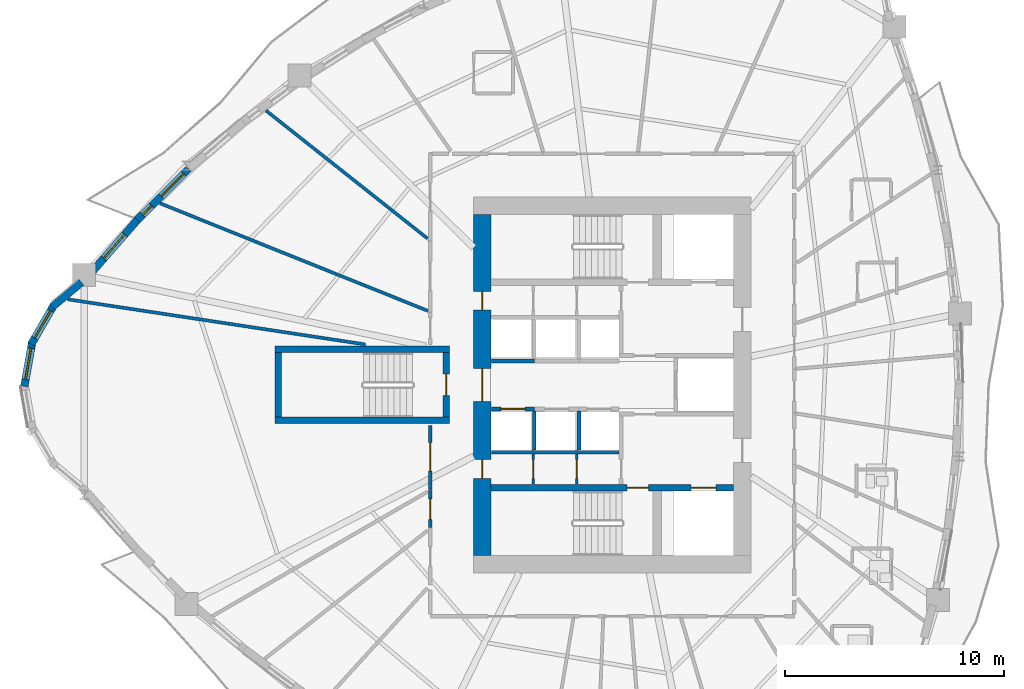
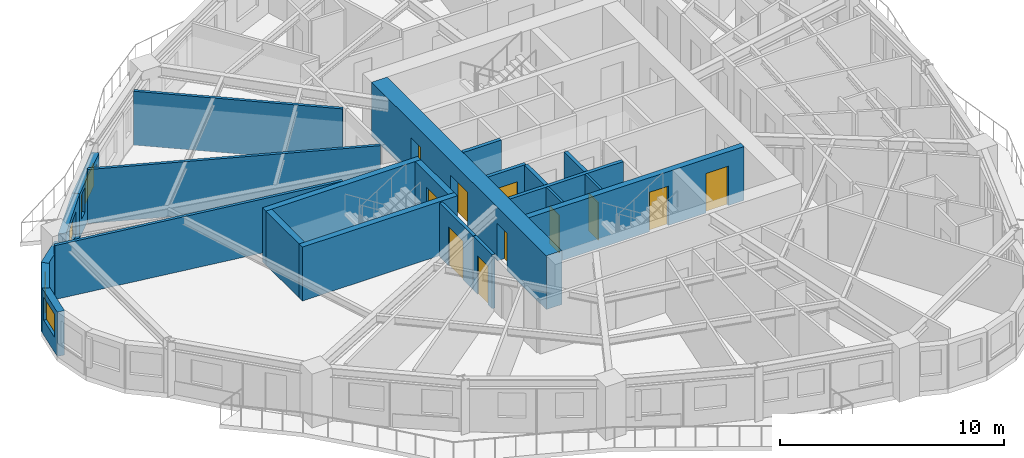
# One storey, part 4 of 13: 23 walls, 11 doors, 5 windows, 16 openings.
"""IFC4 building model written with IfcOpenShell, lengths in metres."""

import ifcopenshell
import ifcopenshell.guid

model = None  # the IFC model being written
_history = None  # IfcOwnerHistory: only IFC2X3 demands one
_inside = {}  # id of a spatial element -> (the spatial element, [elements in it])
_under = {}  # id of a project, library or spatial element -> (it, [spatial elements below it])
_declared = {}  # id of a project -> (the project, [libraries it declares])
_typed = {}  # id of a type object -> (the type object, [elements of that type])
_made_of = {}  # id of a material, layer set ... -> (it, [elements and type objects made of it])


def new_model(schema):
    """Start an empty IFC model of exactly this schema.

    Asked for "IFC4X3", IfcOpenShell would pick the latest addendum, in which some entities
    have other attributes; the version numbers below select the first issue.
    IFC2X3 requires an IfcOwnerHistory on every rooted entity: one is made here for all.
    """
    global model, _history
    if schema == "IFC4X3":
        model = ifcopenshell.file(schema_version=(4, 3, 0, 0))
    else:
        model = ifcopenshell.file(schema=schema)
    _inside.clear()
    _under.clear()
    _declared.clear()
    _typed.clear()
    _made_of.clear()
    _history = None
    if model.schema == "IFC2X3":
        org = make("IfcOrganization", Name="unknown")
        user = make(
            "IfcPersonAndOrganization",
            ThePerson=make("IfcPerson", FamilyName="unknown"),
            TheOrganization=org,
        )
        app = make(
            "IfcApplication",
            ApplicationDeveloper=org,
            Version="unknown",
            ApplicationFullName="unknown",
            ApplicationIdentifier="unknown",
        )
        _history = make(
            "IfcOwnerHistory",
            OwningUser=user,
            OwningApplication=app,
            ChangeAction="ADDED",
            CreationDate=0,
        )
    return model


def make(cls, **values):
    """One entity of the class cls with the attributes given. An attribute that is None is left unset."""
    return model.create_entity(
        cls, **{name: value for name, value in values.items() if value is not None}
    )


def rooted(cls, **values):
    """An entity with a GlobalId (a new one), such as an element, a storey or a relation."""
    return make(cls, GlobalId=ifcopenshell.guid.new(), OwnerHistory=_history, **values)


def si_unit(unit_type, name, prefix=None):
    """IfcSIUnit, for example si_unit("LENGTHUNIT", "METRE", prefix="MILLI")."""
    return make("IfcSIUnit", UnitType=unit_type, Prefix=prefix, Name=name)


def assignment(units):
    """IfcUnitAssignment: the units of a project."""
    return None if units is None else make("IfcUnitAssignment", Units=units)


def point(xyz):
    """IfcCartesianPoint."""
    return None if xyz is None else make("IfcCartesianPoint", Coordinates=xyz)


def direction(xyz):
    """IfcDirection."""
    return None if xyz is None else make("IfcDirection", DirectionRatios=xyz)


def frame(location, z_axis=None, x_axis=None):
    """IfcAxis2Placement3D, a coordinate frame: its origin and axes. An axis left out is left unset."""
    return make(
        "IfcAxis2Placement3D",
        Location=point(location),
        Axis=direction(z_axis),
        RefDirection=direction(x_axis),
    )


def frame_2d(location, x_axis=None):
    """IfcAxis2Placement2D, a coordinate frame in the plane: its origin and x axis."""
    return make(
        "IfcAxis2Placement2D", Location=point(location), RefDirection=direction(x_axis)
    )


def origin():
    """The frame at (0, 0, 0) with its axes left unset."""
    return frame((0.0, 0.0, 0.0))


def place(relative_to, where):
    """IfcLocalPlacement: puts the frame where relative to a parent placement (None: the world)."""
    return make(
        "IfcLocalPlacement", PlacementRelTo=relative_to, RelativePlacement=where
    )


def context(
    kind, dimensions, precision=None, world=None, true_north=None, identifier=None
):
    """IfcGeometricRepresentationContext, for example the 3D "Model" context."""
    return make(
        "IfcGeometricRepresentationContext",
        ContextIdentifier=identifier,
        ContextType=kind,
        CoordinateSpaceDimension=dimensions,
        Precision=precision,
        WorldCoordinateSystem=world,
        TrueNorth=true_north,
    )


def subcontext(parent, identifier, kind, view, scale=None):
    """IfcGeometricRepresentationSubContext, for example "Body" below "Model"."""
    return make(
        "IfcGeometricRepresentationSubContext",
        ContextIdentifier=identifier,
        ContextType=kind,
        ParentContext=parent,
        TargetScale=scale,
        TargetView=view,
    )


def project(units=None, contexts=None):
    """IfcProject with its units and contexts."""
    return rooted(
        "IfcProject",
        Name="project",
        RepresentationContexts=contexts,
        UnitsInContext=assignment(units),
    )


def spatial(cls, under=None, at=None, **own):
    """A site, building, storey or space (cls), placed at a placement, below another one or the project."""
    s = rooted(cls, ObjectPlacement=at, **own)
    if under is not None:
        _under.setdefault(under.id(), (under, []))[1].append(s)
    return s


def profile(cls, at=None, kind="AREA", **sizes):
    """A parametric profile (cls). Its sizes go by their IFC names, for example OverallWidth=200.0."""
    return make(cls, ProfileType=kind, Position=at, **sizes)


def rectangle(**sizes):
    """IfcRectangleProfileDef."""
    return profile("IfcRectangleProfileDef", **sizes)


def extrude(swept, where, along, depth):
    """IfcExtrudedAreaSolid: the profile swept, set in the frame where, extruded along a direction by depth."""
    return make(
        "IfcExtrudedAreaSolid",
        SweptArea=swept,
        Position=where,
        ExtrudedDirection=direction(along),
        Depth=depth,
    )


def shape(context_of_items, identifier, shape_type, items):
    """IfcShapeRepresentation: the items that make up one representation, for example the "Body"."""
    return make(
        "IfcShapeRepresentation",
        ContextOfItems=context_of_items,
        RepresentationIdentifier=identifier,
        RepresentationType=shape_type,
        Items=items,
    )


def source(mapping_origin, context_of_items, identifier, shape_type, items):
    """IfcRepresentationMap: a shape defined once, which mapped items show again and again."""
    return make(
        "IfcRepresentationMap",
        MappingOrigin=mapping_origin,
        MappedRepresentation=shape(context_of_items, identifier, shape_type, items),
    )


def transform(
    local_origin,
    x_axis=None,
    y_axis=None,
    z_axis=None,
    scale=None,
    scale2=None,
    scale3=None,
    uniform=True,
):
    """IfcCartesianTransformationOperator3D, or its non-uniform kind. x_axis, y_axis, z_axis: its Axis1, 2, 3."""
    if uniform:
        return make(
            "IfcCartesianTransformationOperator3D",
            Axis1=direction(x_axis),
            Axis2=direction(y_axis),
            LocalOrigin=point(local_origin),
            Scale=scale,
            Axis3=direction(z_axis),
        )
    return make(
        "IfcCartesianTransformationOperator3DnonUniform",
        Axis1=direction(x_axis),
        Axis2=direction(y_axis),
        LocalOrigin=point(local_origin),
        Scale=scale,
        Axis3=direction(z_axis),
        Scale2=scale2,
        Scale3=scale3,
    )


def mapped(mapping_source, mapping_target):
    """IfcMappedItem: shows the shape of a source again, moved by a transform."""
    return make(
        "IfcMappedItem", MappingSource=mapping_source, MappingTarget=mapping_target
    )


def material(Name=None, Category=None):
    """IfcMaterial."""
    return make("IfcMaterial", Name=Name, Category=Category)


def layer(
    of_material, thickness, ventilated=None, Name=None, Category=None, Priority=None
):
    """IfcMaterialLayer: one layer of a wall or slab, of a material (None: an air gap)."""
    return make(
        "IfcMaterialLayer",
        Material=of_material,
        LayerThickness=thickness,
        IsVentilated=ventilated,
        Name=Name,
        Category=Category,
        Priority=Priority,
    )


def layer_set(layers, Name=None):
    """IfcMaterialLayerSet."""
    return make("IfcMaterialLayerSet", MaterialLayers=layers, LayerSetName=Name)


def made_of(thing, what):
    """Note that an element or type object is made of a material, layer set ...; save() writes the relation."""
    if what is not None:
        _made_of.setdefault(what.id(), (what, []))[1].append(thing)
    return thing


def type_object(cls, material=None, **own):
    """A type object (cls), such as IfcWallType, which elements share."""
    return made_of(rooted(cls, **own), material)


def element(
    cls,
    number,
    at=None,
    inside=None,
    cuts=None,
    type_object=None,
    material=None,
    context=None,
    identifier="Body",
    shape_type=None,
    held_by="IfcProductDefinitionShape",
    body=None,
    shapes=None,
    **own,
):
    """One element of the class cls, such as IfcWall. Its Tag is "e" and its number.

    at: its placement. inside: the storey or other place that contains it. cuts: it is an
    opening in that element (IfcRelVoidsElement). A single representation is given by context,
    identifier, shape_type and body (its items); several are given by shapes. held_by: the class
    of the entity that holds the representations. save() writes the other relations.
    """
    e = rooted(cls, Tag="e%d" % number, ObjectPlacement=at, **own)
    if body is not None:
        shapes = [shape(context, identifier, shape_type, body)]
    if shapes is not None:
        e.Representation = make(held_by, Representations=shapes)
    if inside is not None:
        _inside.setdefault(inside.id(), (inside, []))[1].append(e)
    if cuts is not None:
        rooted(
            "IfcRelVoidsElement", RelatingBuildingElement=cuts, RelatedOpeningElement=e
        )
    if type_object is not None:
        _typed.setdefault(type_object.id(), (type_object, []))[1].append(e)
    return made_of(e, material)


def fill(opening, filler):
    """IfcRelFillsElement: the door or window that sits in an opening."""
    return rooted(
        "IfcRelFillsElement",
        RelatingOpeningElement=opening,
        RelatedBuildingElement=filler,
    )


def aggregate(whole, parts):
    """IfcRelAggregates: a whole, such as a stair, and the parts it consists of."""
    return rooted("IfcRelAggregates", RelatingObject=whole, RelatedObjects=parts)


def save(model, path):
    """Write the relations noted so far, then the file.

    IfcRelAggregates (storeys below a building ...), IfcRelContainedInSpatialStructure (elements
    in a storey), IfcRelDefinesByType, IfcRelAssociatesMaterial and IfcRelDeclares: one each for
    every whole, place, type object, material and project.
    """
    for whole, parts in _under.values():
        aggregate(whole, parts)
    for where, things in _inside.values():
        rooted(
            "IfcRelContainedInSpatialStructure",
            RelatedElements=things,
            RelatingStructure=where,
        )
    for kind, things in _typed.values():
        rooted("IfcRelDefinesByType", RelatedObjects=things, RelatingType=kind)
    for what, things in _made_of.values():
        rooted("IfcRelAssociatesMaterial", RelatedObjects=things, RelatingMaterial=what)
    for by, libraries in _declared.values():
        rooted("IfcRelDeclares", RelatingContext=by, RelatedDefinitions=libraries)
    model.write(path)


model = new_model("IFC4")

# Units and contexts
model_context = context("Model", 3, precision=1e-05, world=origin(), true_north=direction((0.0, 1.0)))
body_context = subcontext(model_context, "Body", "Model", "MODEL_VIEW")
ifc_project = project(units=[si_unit("LENGTHUNIT", "METRE"), si_unit("AREAUNIT", "SQUARE_METRE"), si_unit("VOLUMEUNIT", "CUBIC_METRE"), si_unit("PLANEANGLEUNIT", "RADIAN"), si_unit("MASSUNIT", "GRAM", prefix="KILO")], contexts=[model_context])

# Site, building, storey
site_placement = place(None, origin())
site = spatial("IfcSite", under=ifc_project, at=site_placement, CompositionType="ELEMENT")
building_placement = place(site_placement, origin())
building = spatial("IfcBuilding", under=site, at=building_placement, Name="Qafzar Sky-Pleat Residences", CompositionType="ELEMENT")
storey_placement = place(building_placement, frame((0.0, 0.0, 59.0)))
storey = spatial("IfcBuildingStorey", under=building, at=storey_placement, Name="L17", CompositionType="ELEMENT", Elevation=59.0)

# Wall, opening, door
ifc_material_1 = material(Name="Acoustic gypsum plasterboard partition", Category="gypsum")
ifc_layer_1 = layer(ifc_material_1, 0.159912109375)
ifc_layer_set_1 = layer_set([ifc_layer_1], Name="Acoustic gypsum plasterboard partition")
wall_type_1 = type_object("IfcWallType", Name="PART-COR-160", PredefinedType="PARTITIONING", material=ifc_layer_set_1)
wall_1_placement = place(storey_placement, frame((22.02001953125, 21.16796875, 0.0), z_axis=(0.0, 0.0, 1.0), x_axis=(0.0, 1.0, 0.0)))
wall_1 = element("IfcWall", 1, at=wall_1_placement, inside=storey, type_object=wall_type_1, Name="L17 Partition Wall PART-L17-PW-011", PredefinedType="PARTITIONING", context=body_context, shape_type="SweptSolid", body=[
    extrude(rectangle(XDim=2.98193359375, YDim=0.159912109375, at=frame_2d((1.490966796875, 0.0))), origin(), (0.0, 0.0, 1.0), 2.93994140625),
])
opening_1_placement = place(wall_1_placement, frame((0.887451171875, 0.0, 0.0)))
opening_1 = element("IfcOpeningElement", 2, at=opening_1_placement, cuts=wall_1, Name="Opening ID-05", PredefinedType="OPENING", context=body_context, shape_type="SweptSolid", body=[
    extrude(rectangle(XDim=1.300048828125, YDim=2.10009765625, at=frame_2d((0.64990234375, 1.050048828125))), frame((0.0, 0.08984375, 0.0), z_axis=(0.0, -1.0, 0.0), x_axis=(1.0, 0.0, 0.0)), (0.0, 0.0, 1.0), 0.179931640625),
])
ifc_material_2 = material(Name="Timber-faced fire door", Category="wood")
door_type_1 = type_object("IfcDoorType", Name="DR-LNG-1300", OperationType="DOUBLE_DOOR_SINGLE_SWING", PredefinedType="DOOR", material=ifc_material_2)
shared_shape_1 = source(origin(), body_context, "Body", "SweptSolid", [
    extrude(rectangle(XDim=1.300048828125, YDim=2.10009765625, at=frame_2d((0.64990234375, 1.050048828125))), frame((0.0, 0.02490234375, 0.0), z_axis=(0.0, -1.0, 0.0), x_axis=(1.0, 0.0, 0.0)), (0.0, 0.0, 1.0), 0.050048828125),
])
door_1_placement = place(opening_1_placement, origin())
door_1 = element("IfcDoor", 3, at=door_1_placement, inside=storey, type_object=door_type_1, Name="L17 Academic Seminar Room Door", OperationType="DOUBLE_DOOR_SINGLE_SWING", OverallHeight=2.10009765625, OverallWidth=1.300048828125, PredefinedType="DOOR", context=body_context, shape_type="MappedRepresentation", body=[
    mapped(shared_shape_1, transform((0.0, 0.0, 0.0), x_axis=(1.0, 0.0, 0.0), y_axis=(0.0, 1.0, 0.0), z_axis=(0.0, 0.0, 1.0), scale=1.0)),
])
fill(opening_1, door_1)

wall_2_placement = place(storey_placement, frame((22.02001953125, 19.470947265625, 0.0), z_axis=(0.0, 0.0, 1.0), x_axis=(0.0, 1.0, 0.0)))
wall_2 = element("IfcWall", 4, at=wall_2_placement, inside=storey, type_object=wall_type_1, Name="L17 Partition Wall PART-L17-PW-028", PredefinedType="PARTITIONING", context=body_context, shape_type="SweptSolid", body=[
    extrude(rectangle(XDim=1.68212890625, YDim=0.159912109375, at=frame_2d((0.841064453125, 0.0))), origin(), (0.0, 0.0, 1.0), 2.93994140625),
])
opening_2_placement = place(wall_2_placement, frame((0.3798828125, 0.0, 0.0)))
opening_2 = element("IfcOpeningElement", 5, at=opening_2_placement, cuts=wall_2, Name="Opening ID-04", PredefinedType="OPENING", context=body_context, shape_type="SweptSolid", body=[
    extrude(rectangle(XDim=0.919921875, YDim=2.10009765625, at=frame_2d((0.4599609375, 1.050048828125))), frame((0.0, 0.08984375, 0.0), z_axis=(0.0, -1.0, 0.0), x_axis=(1.0, 0.0, 0.0)), (0.0, 0.0, 1.0), 0.179931640625),
])
door_type_2 = type_object("IfcDoorType", Name="DR-BED-920", OperationType="NOTDEFINED", PredefinedType="DOOR", material=ifc_material_2)
shared_shape_2 = source(origin(), body_context, "Body", "SweptSolid", [
    extrude(rectangle(XDim=0.919921875, YDim=2.10009765625, at=frame_2d((0.4599609375, 1.050048828125))), frame((0.0, 0.02490234375, 0.0), z_axis=(0.0, -1.0, 0.0), x_axis=(1.0, 0.0, 0.0)), (0.0, 0.0, 1.0), 0.050048828125),
])
door_2_placement = place(opening_2_placement, origin())
door_2 = element("IfcDoor", 6, at=door_2_placement, inside=storey, type_object=door_type_2, Name="L17 Co-Living Bedroom 10 Door", OperationType="SINGLE_SWING_RIGHT", OverallHeight=2.10009765625, OverallWidth=0.919921875, PredefinedType="DOOR", context=body_context, shape_type="MappedRepresentation", body=[
    mapped(shared_shape_2, transform((0.0, 0.0, 0.0), x_axis=(1.0, 0.0, 0.0), y_axis=(0.0, 1.0, 0.0), z_axis=(0.0, 0.0, 1.0), scale=1.0)),
])
fill(opening_2, door_2)

# Wall
ifc_material_3 = material(Name="Concrete blockwork partition", Category="masonry")
ifc_layer_2 = layer(ifc_material_3, 0.179931640625)
ifc_layer_set_2 = layer_set([ifc_layer_2], Name="Concrete blockwork partition")
wall_type_2 = type_object("IfcWallType", Name="PART-SHAFT-180", PredefinedType="PARTITIONING", material=ifc_layer_set_2)
wall_3_placement = place(storey_placement, frame((24.81005859375, 22.919921875, 0.0), z_axis=(0.0, 0.0, 1.0), x_axis=(1.0, 0.0, 0.0)))
element("IfcWall", 7, at=wall_3_placement, inside=storey, type_object=wall_type_2, Name="L17 Partition Wall PART-L17-P13-S", PredefinedType="PARTITIONING", context=body_context, shape_type="SweptSolid", body=[
    extrude(rectangle(XDim=5.83984375, YDim=0.179931640625, at=frame_2d((2.919921875, 0.0))), origin(), (0.0, 0.0, 1.0), 2.93994140625),
])

# Wall, opening, door
wall_4_placement = place(storey_placement, frame((24.81005859375, 24.89990234375, 0.0), z_axis=(0.0, 0.0, 1.0), x_axis=(1.0, 0.0, 0.0)))
wall_4 = element("IfcWall", 8, at=wall_4_placement, inside=storey, type_object=wall_type_2, Name="L17 Partition Wall PART-L17-P1-N", PredefinedType="PARTITIONING", context=body_context, shape_type="SweptSolid", body=[
    extrude(rectangle(XDim=1.96484375, YDim=0.179931640625, at=frame_2d((0.982421875, 0.0))), origin(), (0.0, 0.0, 1.0), 2.93994140625),
])
opening_3_placement = place(wall_4_placement, frame((0.4326171875, 0.0, 0.0)))
opening_3 = element("IfcOpeningElement", 9, at=opening_3_placement, cuts=wall_4, Name="Opening LD-01", PredefinedType="OPENING", context=body_context, shape_type="SweptSolid", body=[
    extrude(rectangle(XDim=1.10009765625, YDim=2.14990234375, at=frame_2d((0.550048828125, 1.074951171875))), frame((0.0, 0.10009765625, 0.0), z_axis=(0.0, -1.0, 0.0), x_axis=(1.0, 0.0, 0.0)), (0.0, 0.0, 1.0), 0.199951171875),
])
ifc_material_4 = material(Name="Stainless steel sliding landing door", Category="steel")
door_type_3 = type_object("IfcDoorType", Name="DR-LIFT-P", OperationType="DOUBLE_DOOR_SLIDING", PredefinedType="DOOR", material=ifc_material_4)
shared_shape_3 = source(origin(), body_context, "Body", "SweptSolid", [
    extrude(rectangle(XDim=1.10009765625, YDim=2.14990234375, at=frame_2d((0.550048828125, 1.074951171875))), frame((0.0, 0.02490234375, 0.0), z_axis=(0.0, -1.0, 0.0), x_axis=(1.0, 0.0, 0.0)), (0.0, 0.0, 1.0), 0.050048828125),
])
door_3_placement = place(opening_3_placement, origin())
door_3 = element("IfcDoor", 10, at=door_3_placement, inside=storey, type_object=door_type_3, Name="L17 Passenger Lift P1 Landing Door", OperationType="DOUBLE_DOOR_SLIDING", OverallHeight=2.14990234375, OverallWidth=1.10009765625, PredefinedType="DOOR", context=body_context, shape_type="MappedRepresentation", body=[
    mapped(shared_shape_3, transform((0.0, 0.0, 0.0), x_axis=(1.0, 0.0, 0.0), y_axis=(0.0, 1.0, 0.0), z_axis=(0.0, 0.0, 1.0), scale=1.0)),
])
fill(opening_3, door_3)

# Walls
for number, where, z_axis, x_axis, name in (
    (11, (26.77490234375, 23.02001953125, 0.0), (0.0, 0.0, 1.0), (0.0, 1.0, 0.0), "L17 Partition Wall PART-L17-P13-DIV-1"),
    (12, (28.824951171875, 23.02001953125, 0.0), (0.0, 0.0, 1.0), (0.0, 1.0, 0.0), "L17 Partition Wall PART-L17-P13-DIV-2"),
):
    element("IfcWall", number, at=place(storey_placement, frame(where, z_axis=z_axis, x_axis=x_axis)), inside=storey, type_object=wall_type_2, Name=name, PredefinedType="PARTITIONING", context=body_context, shape_type="SweptSolid", body=[
        extrude(rectangle(XDim=1.780029296875, YDim=0.179931640625, at=frame_2d((0.89013671875, 0.0))), origin(), (0.0, 0.0, 1.0), 2.93994140625),
    ])
wall_5_placement = place(storey_placement, frame((24.81005859375, 27.10009765625, 0.0), z_axis=(0.0, 0.0, 1.0), x_axis=(1.0, 0.0, 0.0)))
element("IfcWall", 13, at=wall_5_placement, inside=storey, type_object=wall_type_2, Name="L17 Partition Wall PART-L17-P4-S", PredefinedType="PARTITIONING", context=body_context, shape_type="SweptSolid", body=[
    extrude(rectangle(XDim=1.96484375, YDim=0.179931640625, at=frame_2d((0.982421875, 0.0))), origin(), (0.0, 0.0, 1.0), 2.93994140625),
])

# Wall, opening, door
ifc_material_5 = material(Name="Gypsum plasterboard partition", Category="gypsum")
ifc_layer_3 = layer(ifc_material_5, 0.114990234375)
ifc_layer_set_3 = layer_set([ifc_layer_3], Name="Gypsum plasterboard partition")
wall_type_3 = type_object("IfcWallType", Name="PART-SVC-115", PredefinedType="PARTITIONING", material=ifc_layer_set_3)
wall_6_placement = place(storey_placement, frame((26.72509765625, 21.4599609375, 0.0), z_axis=(0.0, 0.0, 1.0), x_axis=(0.0, 1.0, 0.0)))
wall_6 = element("IfcWall", 14, at=wall_6_placement, inside=storey, type_object=wall_type_3, Name="L17 Partition Wall PART-L17-KC-SW-1", PredefinedType="PARTITIONING", context=body_context, shape_type="SweptSolid", body=[
    extrude(rectangle(XDim=1.380126953125, YDim=0.114990234375, at=frame_2d((0.68994140625, 0.0))), origin(), (0.0, 0.0, 1.0), 2.93994140625),
])
opening_4_placement = place(wall_6_placement, frame((0.260009765625, 0.0, 0.0)))
opening_4 = element("IfcOpeningElement", 15, at=opening_4_placement, cuts=wall_6, Name="Opening ID-09", PredefinedType="OPENING", context=body_context, shape_type="SweptSolid", body=[
    extrude(rectangle(XDim=0.860107421875, YDim=2.050048828125, at=frame_2d((0.43017578125, 1.02490234375))), frame((0.0, 0.0673828125, 0.0), z_axis=(0.0, -1.0, 0.0), x_axis=(1.0, 0.0, 0.0)), (0.0, 0.0, 1.0), 0.135009765625),
])
door_type_4 = type_object("IfcDoorType", Name="DR-SVC-860", OperationType="NOTDEFINED", PredefinedType="DOOR", material=ifc_material_2)
shared_shape_4 = source(origin(), body_context, "Body", "SweptSolid", [
    extrude(rectangle(XDim=0.860107421875, YDim=2.050048828125, at=frame_2d((0.43017578125, 1.02490234375))), frame((0.0, 0.02490234375, 0.0), z_axis=(0.0, -1.0, 0.0), x_axis=(1.0, 0.0, 0.0)), (0.0, 0.0, 1.0), 0.050048828125),
])
door_4_placement = place(opening_4_placement, origin())
door_4 = element("IfcDoor", 16, at=door_4_placement, inside=storey, type_object=door_type_4, Name="L17 Core South Cupboard 1 Door", OperationType="SINGLE_SWING_LEFT", OverallHeight=2.050048828125, OverallWidth=0.860107421875, PredefinedType="DOOR", context=body_context, shape_type="MappedRepresentation", body=[
    mapped(shared_shape_4, transform((0.0, 0.0, 0.0), x_axis=(1.0, 0.0, 0.0), y_axis=(0.0, 1.0, 0.0), z_axis=(0.0, 0.0, 1.0), scale=1.0)),
])
fill(opening_4, door_4)

wall_7_placement = place(storey_placement, frame((28.72509765625, 21.4599609375, 0.0), z_axis=(0.0, 0.0, 1.0), x_axis=(0.0, 1.0, 0.0)))
wall_7 = element("IfcWall", 17, at=wall_7_placement, inside=storey, type_object=wall_type_3, Name="L17 Partition Wall PART-L17-KC-SW-2", PredefinedType="PARTITIONING", context=body_context, shape_type="SweptSolid", body=[
    extrude(rectangle(XDim=1.380126953125, YDim=0.114990234375, at=frame_2d((0.68994140625, 0.0))), origin(), (0.0, 0.0, 1.0), 2.93994140625),
])
opening_5_placement = place(wall_7_placement, frame((0.260009765625, 0.0, 0.0)))
opening_5 = element("IfcOpeningElement", 18, at=opening_5_placement, cuts=wall_7, Name="Opening ID-09", PredefinedType="OPENING", context=body_context, shape_type="SweptSolid", body=[
    extrude(rectangle(XDim=0.860107421875, YDim=2.050048828125, at=frame_2d((0.43017578125, 1.02490234375))), frame((0.0, 0.0673828125, 0.0), z_axis=(0.0, -1.0, 0.0), x_axis=(1.0, 0.0, 0.0)), (0.0, 0.0, 1.0), 0.135009765625),
])
door_5_placement = place(opening_5_placement, origin())
door_5 = element("IfcDoor", 19, at=door_5_placement, inside=storey, type_object=door_type_4, Name="L17 Core South Cupboard 2 Door", OperationType="SINGLE_SWING_LEFT", OverallHeight=2.050048828125, OverallWidth=0.860107421875, PredefinedType="DOOR", context=body_context, shape_type="MappedRepresentation", body=[
    mapped(shared_shape_4, transform((0.0, 0.0, 0.0), x_axis=(1.0, 0.0, 0.0), y_axis=(0.0, 1.0, 0.0), z_axis=(0.0, 0.0, 1.0), scale=1.0)),
])
fill(opening_5, door_5)

# Walls
ifc_layer_4 = layer(ifc_material_1, 0.14501953125)
ifc_layer_set_4 = layer_set([ifc_layer_4], Name="Acoustic gypsum plasterboard partition")
wall_type_4 = type_object("IfcWallType", Name="PART-UNIT-145", PredefinedType="PARTITIONING", material=ifc_layer_set_4)
wall_8_placement = place(storey_placement, frame((5.4169921875, 29.918212890625, 0.0), z_axis=(0.0, 0.0, 1.0), x_axis=(0.98869499802, -0.149940657898, 0.0)))
element("IfcWall", 20, at=wall_8_placement, inside=storey, type_object=wall_type_4, Name="L17 Partition Wall PART-L17-PW-032", PredefinedType="PARTITIONING", context=body_context, shape_type="SweptSolid", body=[
    extrude(rectangle(XDim=13.79296875, YDim=0.14501953125, at=frame_2d((6.896484375, 0.0))), origin(), (0.0, 0.0, 1.0), 2.93994140625),
])
wall_9_placement = place(storey_placement, frame((9.64599609375, 34.3115234375, 0.0), z_axis=(0.0, 0.0, 1.0), x_axis=(0.928010757454, -0.372553397581, 0.0)))
element("IfcWall", 21, at=wall_9_placement, inside=storey, type_object=wall_type_4, Name="L17 Partition Wall PART-L17-PW-033", PredefinedType="PARTITIONING", context=body_context, shape_type="SweptSolid", body=[
    extrude(rectangle(XDim=13.21044921875, YDim=0.14501953125, at=frame_2d((6.605224609375, 0.0))), origin(), (0.0, 0.0, 1.0), 2.93994140625),
])
wall_10_placement = place(storey_placement, frame((14.493896484375, 38.558349609375, 0.0), z_axis=(0.0, 0.0, 1.0), x_axis=(0.783879440631, -0.620913055552, 0.0)))
element("IfcWall", 22, at=wall_10_placement, inside=storey, type_object=wall_type_4, Name="L17 Partition Wall PART-L17-PW-040", PredefinedType="PARTITIONING", context=body_context, shape_type="SweptSolid", body=[
    extrude(rectangle(XDim=9.43359375, YDim=0.14501953125, at=frame_2d((4.716796875, 0.0))), origin(), (0.0, 0.0, 1.0), 2.93994140625),
])
ifc_material_6 = material(Name="Precast concrete C40/50 with honed Riyadh limestone", Category="concrete")
ifc_layer_5 = layer(ifc_material_6, 0.35009765625)
ifc_layer_set_5 = layer_set([ifc_layer_5], Name="Precast concrete C40/50 with honed Riyadh limestone")
wall_type_5 = type_object("IfcWallType", Name="WALL-EXT-350", PredefinedType="SOLIDWALL", material=ifc_layer_set_5)
wall_11_placement = place(storey_placement, frame((6.0576171875, 30.696044921875, 0.0), z_axis=(0.0, 0.0, 1.0), x_axis=(-0.766001205563, -0.64283913468, 0.0)))
element("IfcWall", 23, at=wall_11_placement, inside=storey, type_object=wall_type_5, Name="L17 Limestone Facade Wall 1", PredefinedType="SOLIDWALL", context=body_context, shape_type="SweptSolid", body=[
    extrude(rectangle(XDim=1.75244140625, YDim=0.35009765625, at=frame_2d((0.876220703125, 0.0))), origin(), (0.0, 0.0, 1.0), 2.419921875),
])

# Wall, opening, window
wall_12_placement = place(storey_placement, frame((4.802490234375, 29.673583984375, 0.0), z_axis=(0.0, 0.0, 1.0), x_axis=(-0.499995423472, -0.866028046028, 0.0)))
wall_12 = element("IfcWall", 24, at=wall_12_placement, inside=storey, type_object=wall_type_5, Name="L17 Limestone Facade Wall 2", PredefinedType="SOLIDWALL", context=body_context, shape_type="SweptSolid", body=[
    extrude(rectangle(XDim=2.09033203125, YDim=0.35009765625, at=frame_2d((1.045166015625, 0.0))), origin(), (0.0, 0.0, 1.0), 2.419921875),
])
opening_6_placement = place(wall_12_placement, frame((0.3203125, 0.0, 0.820068359375)))
opening_6 = element("IfcOpeningElement", 25, at=opening_6_placement, cuts=wall_12, Name="Opening WN-15", PredefinedType="OPENING", context=body_context, shape_type="SweptSolid", body=[
    extrude(rectangle(XDim=1.449951171875, YDim=1.25, at=frame_2d((0.72509765625, 0.625))), frame((0.0, 0.18505859375, 0.0), z_axis=(0.0, -1.0, 0.0), x_axis=(1.0, 0.0, 0.0)), (0.0, 0.0, 1.0), 0.3701171875),
])
ifc_material_7 = material(Name="Solar-control low-E glass in bronze aluminium frame", Category="glass")
window_type_1 = type_object("IfcWindowType", Name="WIN-15", PartitioningType="SINGLE_PANEL", PredefinedType="WINDOW", material=ifc_material_7)
shared_shape_5 = source(origin(), body_context, "Body", "SweptSolid", [
    extrude(rectangle(XDim=1.449951171875, YDim=1.25, at=frame_2d((0.72509765625, 0.625))), frame((0.0, 0.030029296875, 0.0), z_axis=(0.0, -1.0, 0.0), x_axis=(1.0, 0.0, 0.0)), (0.0, 0.0, 1.0), 0.06005859375),
])
window_1_placement = place(opening_6_placement, origin())
window_1 = element("IfcWindow", 26, at=window_1_placement, inside=storey, type_object=window_type_1, Name="L17 Punched Facade Window 02", OverallHeight=1.25, OverallWidth=1.449951171875, PartitioningType="SINGLE_PANEL", PredefinedType="WINDOW", context=body_context, shape_type="MappedRepresentation", body=[
    mapped(shared_shape_5, transform((0.0, 0.0, 0.0), x_axis=(1.0, 0.0, 0.0), y_axis=(0.0, 1.0, 0.0), z_axis=(0.0, 0.0, 1.0), scale=1.0)),
])
fill(opening_6, window_1)

wall_13_placement = place(storey_placement, frame((3.8037109375, 27.99072265625, 0.0), z_axis=(0.0, 0.0, 1.0), x_axis=(-0.173672066494, -0.984803540469, 0.0)))
wall_13 = element("IfcWall", 27, at=wall_13_placement, inside=storey, type_object=wall_type_5, Name="L17 Limestone Facade Wall 3", PredefinedType="SOLIDWALL", context=body_context, shape_type="SweptSolid", body=[
    extrude(rectangle(XDim=2.09033203125, YDim=0.35009765625, at=frame_2d((1.045166015625, 0.0))), origin(), (0.0, 0.0, 1.0), 2.419921875),
])
opening_7_placement = place(wall_13_placement, frame((0.3203125, 0.0, 0.820068359375)))
opening_7 = element("IfcOpeningElement", 28, at=opening_7_placement, cuts=wall_13, Name="Opening WN-15", PredefinedType="OPENING", context=body_context, shape_type="SweptSolid", body=[
    extrude(rectangle(XDim=1.449951171875, YDim=1.25, at=frame_2d((0.72509765625, 0.625))), frame((0.0, 0.18505859375, 0.0), z_axis=(0.0, -1.0, 0.0), x_axis=(1.0, 0.0, 0.0)), (0.0, 0.0, 1.0), 0.3701171875),
])
window_2_placement = place(opening_7_placement, origin())
window_2 = element("IfcWindow", 29, at=window_2_placement, inside=storey, type_object=window_type_1, Name="L17 Punched Facade Window 03", OverallHeight=1.25, OverallWidth=1.449951171875, PartitioningType="SINGLE_PANEL", PredefinedType="WINDOW", context=body_context, shape_type="MappedRepresentation", body=[
    mapped(shared_shape_5, transform((0.0, 0.0, 0.0), x_axis=(1.0, 0.0, 0.0), y_axis=(0.0, 1.0, 0.0), z_axis=(0.0, 0.0, 1.0), scale=1.0)),
])
fill(opening_7, window_2)

# Wall, openings, windows
wall_14_placement = place(storey_placement, frame((10.96533203125, 35.888671875, 0.0), z_axis=(0.0, 0.0, 1.0), x_axis=(-0.708394377581, -0.70581683588, 0.0)))
wall_14 = element("IfcWall", 30, at=wall_14_placement, inside=storey, type_object=wall_type_5, Name="L17 Limestone Facade Wall 47", PredefinedType="SOLIDWALL", context=body_context, shape_type="SweptSolid", body=[
    extrude(rectangle(XDim=3.409912109375, YDim=0.35009765625, at=frame_2d((1.705078125, 0.0))), origin(), (0.0, 0.0, 1.0), 2.419921875),
])
opening_8_placement = place(wall_14_placement, frame((0.333251953125, 0.0, 0.820068359375)))
opening_8 = element("IfcOpeningElement", 31, at=opening_8_placement, cuts=wall_14, Name="Opening WN-15", PredefinedType="OPENING", context=body_context, shape_type="SweptSolid", body=[
    extrude(rectangle(XDim=1.449951171875, YDim=1.25, at=frame_2d((0.72509765625, 0.625))), frame((0.0, 0.18505859375, 0.0), z_axis=(0.0, -1.0, 0.0), x_axis=(1.0, 0.0, 0.0)), (0.0, 0.0, 1.0), 0.3701171875),
])
opening_9_placement = place(wall_14_placement, frame((2.4033203125, 0.0, 0.820068359375)))
opening_9 = element("IfcOpeningElement", 32, at=opening_9_placement, cuts=wall_14, Name="Opening WN-17", PredefinedType="OPENING", context=body_context, shape_type="SweptSolid", body=[
    extrude(rectangle(XDim=0.580078125, YDim=1.35009765625, at=frame_2d((0.2900390625, 0.675048828125))), frame((0.0, 0.18505859375, 0.0), z_axis=(0.0, -1.0, 0.0), x_axis=(1.0, 0.0, 0.0)), (0.0, 0.0, 1.0), 0.3701171875),
])
window_3_placement = place(opening_8_placement, origin())
window_3 = element("IfcWindow", 33, at=window_3_placement, inside=storey, type_object=window_type_1, Name="L17 Punched Facade Window 47", OverallHeight=1.25, OverallWidth=1.449951171875, PartitioningType="SINGLE_PANEL", PredefinedType="WINDOW", context=body_context, shape_type="MappedRepresentation", body=[
    mapped(shared_shape_5, transform((0.0, 0.0, 0.0), x_axis=(1.0, 0.0, 0.0), y_axis=(0.0, 1.0, 0.0), z_axis=(0.0, 0.0, 1.0), scale=1.0)),
])
fill(opening_8, window_3)
window_type_2 = type_object("IfcWindowType", Name="WIN-17", PartitioningType="SINGLE_PANEL", PredefinedType="WINDOW", material=ifc_material_7)
shared_shape_6 = source(origin(), body_context, "Body", "SweptSolid", [
    extrude(rectangle(XDim=0.580078125, YDim=1.35009765625, at=frame_2d((0.2900390625, 0.675048828125))), frame((0.0, 0.030029296875, 0.0), z_axis=(0.0, -1.0, 0.0), x_axis=(1.0, 0.0, 0.0)), (0.0, 0.0, 1.0), 0.06005859375),
])
window_4_placement = place(opening_9_placement, origin())
window_4 = element("IfcWindow", 34, at=window_4_placement, inside=storey, type_object=window_type_2, Name="L17 Punched Facade Window 47-2", OverallHeight=1.35009765625, OverallWidth=0.580078125, PartitioningType="SINGLE_PANEL", PredefinedType="WINDOW", context=body_context, shape_type="MappedRepresentation", body=[
    mapped(shared_shape_6, transform((0.0, 0.0, 0.0), x_axis=(1.0, 0.0, 0.0), y_axis=(0.0, 1.0, 0.0), z_axis=(0.0, 0.0, 1.0), scale=1.0)),
])
fill(opening_9, window_4)

# Wall, opening, window
wall_15_placement = place(storey_placement, frame((8.610107421875, 33.54638671875, 0.0), z_axis=(0.0, 0.0, 1.0), x_axis=(-0.657608204376, -0.753360106149, 0.0)))
wall_15 = element("IfcWall", 35, at=wall_15_placement, inside=storey, type_object=wall_type_5, Name="L17 Limestone Facade Wall 48", PredefinedType="SOLIDWALL", context=body_context, shape_type="SweptSolid", body=[
    extrude(rectangle(XDim=3.202392578125, YDim=0.35009765625, at=frame_2d((1.60107421875, 0.0))), origin(), (0.0, 0.0, 1.0), 2.419921875),
])
opening_10_placement = place(wall_15_placement, frame((0.881103515625, 0.0, 0.820068359375)))
opening_10 = element("IfcOpeningElement", 36, at=opening_10_placement, cuts=wall_15, Name="Opening WN-15", PredefinedType="OPENING", context=body_context, shape_type="SweptSolid", body=[
    extrude(rectangle(XDim=1.449951171875, YDim=1.25, at=frame_2d((0.72509765625, 0.625))), frame((0.0, 0.18505859375, 0.0), z_axis=(0.0, -1.0, 0.0), x_axis=(1.0, 0.0, 0.0)), (0.0, 0.0, 1.0), 0.3701171875),
])
window_5_placement = place(opening_10_placement, origin())
window_5 = element("IfcWindow", 37, at=window_5_placement, inside=storey, type_object=window_type_1, Name="L17 Punched Facade Window 48", OverallHeight=1.25, OverallWidth=1.449951171875, PartitioningType="SINGLE_PANEL", PredefinedType="WINDOW", context=body_context, shape_type="MappedRepresentation", body=[
    mapped(shared_shape_5, transform((0.0, 0.0, 0.0), x_axis=(1.0, 0.0, 0.0), y_axis=(0.0, 1.0, 0.0), z_axis=(0.0, 0.0, 1.0), scale=1.0)),
])
fill(opening_10, window_5)

# Wall, openings, doors
ifc_material_8 = material(Name="Concrete C60/75", Category="concrete")
ifc_layer_6 = layer(ifc_material_8, 0.300048828125)
ifc_layer_set_6 = layer_set([ifc_layer_6], Name="Concrete C60/75")
wall_type_6 = type_object("IfcWallType", Name="WALL-SHEAR-300", PredefinedType="SHEAR", material=ifc_layer_set_6)
wall_16_placement = place(storey_placement, frame((24.800048828125, 21.300048828125, 0.0), z_axis=(0.0, 0.0, 1.0), x_axis=(1.0, 0.0, 0.0)))
wall_16 = element("IfcWall", 38, at=wall_16_placement, inside=storey, type_object=wall_type_6, Name="L17 Stair ST1 and FF1 Shaft North Wall", PredefinedType="SHEAR", context=body_context, shape_type="SweptSolid", body=[
    extrude(rectangle(XDim=11.099853515625, YDim=0.300048828125, at=frame_2d((5.5498046875, 0.0))), origin(), (0.0, 0.0, 1.0), 2.93994140625),
])
opening_11_placement = place(wall_16_placement, frame((6.219970703125, 0.0, 0.0)))
opening_11 = element("IfcOpeningElement", 39, at=opening_11_placement, cuts=wall_16, Name="Opening ID-01", PredefinedType="OPENING", context=body_context, shape_type="SweptSolid", body=[
    extrude(rectangle(XDim=0.97998046875, YDim=2.14990234375, at=frame_2d((0.489990234375, 1.074951171875))), frame((0.0, 0.16015625, 0.0), z_axis=(0.0, -1.0, 0.0), x_axis=(1.0, 0.0, 0.0)), (0.0, 0.0, 1.0), 0.320068359375),
])
opening_12_placement = place(wall_16_placement, frame((9.14990234375, 0.0, 0.0)))
opening_12 = element("IfcOpeningElement", 40, at=opening_12_placement, cuts=wall_16, Name="Opening LD-02", PredefinedType="OPENING", context=body_context, shape_type="SweptSolid", body=[
    extrude(rectangle(XDim=1.14990234375, YDim=2.14990234375, at=frame_2d((0.574951171875, 1.074951171875))), frame((0.0, 0.16015625, 0.0), z_axis=(0.0, -1.0, 0.0), x_axis=(1.0, 0.0, 0.0)), (0.0, 0.0, 1.0), 0.320068359375),
])
door_type_5 = type_object("IfcDoorType", Name="DR-STAIR-980", OperationType="NOTDEFINED", PredefinedType="DOOR", material=ifc_material_2)
shared_shape_7 = source(origin(), body_context, "Body", "SweptSolid", [
    extrude(rectangle(XDim=0.97998046875, YDim=2.14990234375, at=frame_2d((0.489990234375, 1.074951171875))), frame((0.0, 0.02490234375, 0.0), z_axis=(0.0, -1.0, 0.0), x_axis=(1.0, 0.0, 0.0)), (0.0, 0.0, 1.0), 0.050048828125),
])
door_6_placement = place(opening_11_placement, origin())
door_6 = element("IfcDoor", 41, at=door_6_placement, inside=storey, type_object=door_type_5, Name="L17 Stair ST1 Fire Door", OperationType="SINGLE_SWING_RIGHT", OverallHeight=2.14990234375, OverallWidth=0.97998046875, PredefinedType="DOOR", context=body_context, shape_type="MappedRepresentation", body=[
    mapped(shared_shape_7, transform((0.0, 0.0, 0.0), x_axis=(1.0, 0.0, 0.0), y_axis=(0.0, 1.0, 0.0), z_axis=(0.0, 0.0, 1.0), scale=1.0)),
])
fill(opening_11, door_6)
door_type_6 = type_object("IfcDoorType", Name="DR-LIFT-FF", OperationType="DOUBLE_DOOR_SLIDING", PredefinedType="DOOR", material=ifc_material_4)
shared_shape_8 = source(origin(), body_context, "Body", "SweptSolid", [
    extrude(rectangle(XDim=1.14990234375, YDim=2.14990234375, at=frame_2d((0.574951171875, 1.074951171875))), frame((0.0, 0.02490234375, 0.0), z_axis=(0.0, -1.0, 0.0), x_axis=(1.0, 0.0, 0.0)), (0.0, 0.0, 1.0), 0.050048828125),
])
door_7_placement = place(opening_12_placement, origin())
door_7 = element("IfcDoor", 42, at=door_7_placement, inside=storey, type_object=door_type_6, Name="L17 Firefighting Lift FF1 Landing Door", OperationType="DOUBLE_DOOR_SLIDING", OverallHeight=2.14990234375, OverallWidth=1.14990234375, PredefinedType="DOOR", context=body_context, shape_type="MappedRepresentation", body=[
    mapped(shared_shape_8, transform((0.0, 0.0, 0.0), x_axis=(1.0, 0.0, 0.0), y_axis=(0.0, 1.0, 0.0), z_axis=(0.0, 0.0, 1.0), scale=1.0)),
])
fill(opening_12, door_7)

# Walls
for number, where, z_axis, x_axis, name in (
    (43, (14.89990234375, 24.375, 0.0), (0.0, 0.0, 1.0), (1.0, 0.0, 0.0), "L17 ST3 wall S"),
    (44, (22.89990234375, 27.625, 0.0), (0.0, 0.0, 1.0), (-1.0, 0.0, 0.0), "L17 ST3 wall N"),
):
    element("IfcWall", number, at=place(storey_placement, frame(where, z_axis=z_axis, x_axis=x_axis)), inside=storey, type_object=wall_type_6, Name=name, PredefinedType="SHEAR", context=body_context, shape_type="SweptSolid", body=[
        extrude(rectangle(XDim=8.0, YDim=0.300048828125, at=frame_2d((4.0, 0.0))), origin(), (0.0, 0.0, 1.0), 2.93994140625),
    ])
wall_17_placement = place(storey_placement, frame((15.050048828125, 27.47509765625, 0.0), z_axis=(0.0, 0.0, 1.0), x_axis=(0.0, -1.0, 0.0)))
element("IfcWall", 45, at=wall_17_placement, inside=storey, type_object=wall_type_6, Name="L17 ST3 wall W", PredefinedType="SHEAR", context=body_context, shape_type="SweptSolid", body=[
    extrude(rectangle(XDim=2.9501953125, YDim=0.300048828125, at=frame_2d((1.47509765625, 0.0))), origin(), (0.0, 0.0, 1.0), 2.93994140625),
])

# Wall, opening, door
wall_18_placement = place(storey_placement, frame((22.75, 24.52490234375, 0.0), z_axis=(0.0, 0.0, 1.0), x_axis=(0.0, 1.0, 0.0)))
wall_18 = element("IfcWall", 46, at=wall_18_placement, inside=storey, type_object=wall_type_6, Name="L17 ST3 wall E", PredefinedType="SHEAR", context=body_context, shape_type="SweptSolid", body=[
    extrude(rectangle(XDim=2.9501953125, YDim=0.300048828125, at=frame_2d((1.47509765625, 0.0))), origin(), (0.0, 0.0, 1.0), 2.93994140625),
])
opening_13_placement = place(wall_18_placement, frame((0.985107421875, 0.0, 0.0)))
opening_13 = element("IfcOpeningElement", 47, at=opening_13_placement, cuts=wall_18, Name="Opening ID-01", PredefinedType="OPENING", context=body_context, shape_type="SweptSolid", body=[
    extrude(rectangle(XDim=0.97998046875, YDim=2.14990234375, at=frame_2d((0.489990234375, 1.074951171875))), frame((0.0, 0.16015625, 0.0), z_axis=(0.0, -1.0, 0.0), x_axis=(1.0, 0.0, 0.0)), (0.0, 0.0, 1.0), 0.320068359375),
])
door_8_placement = place(opening_13_placement, origin())
door_8 = element("IfcDoor", 48, at=door_8_placement, inside=storey, type_object=door_type_5, Name="L17 Stair ST3 Fire Door", OperationType="SINGLE_SWING_RIGHT", OverallHeight=2.14990234375, OverallWidth=0.97998046875, PredefinedType="DOOR", context=body_context, shape_type="MappedRepresentation", body=[
    mapped(shared_shape_7, transform((0.0, 0.0, 0.0), x_axis=(1.0, 0.0, 0.0), y_axis=(0.0, 1.0, 0.0), z_axis=(0.0, 0.0, 1.0), scale=1.0)),
])
fill(opening_13, door_8)

# Wall, openings, doors
ifc_layer_7 = layer(ifc_material_8, 0.800048828125)
ifc_layer_set_7 = layer_set([ifc_layer_7], Name="Concrete C60/75")
wall_type_7 = type_object("IfcWallType", Name="WALL-SHEAR-800", PredefinedType="SHEAR", material=ifc_layer_set_7)
wall_19_placement = place(storey_placement, frame((24.39990234375, 33.800048828125, 0.0), z_axis=(0.0, 0.0, 1.0), x_axis=(0.0, -1.0, 0.0)))
wall_19 = element("IfcWall", 49, at=wall_19_placement, inside=storey, type_object=wall_type_7, Name="L17 CORE wall W", PredefinedType="SHEAR", context=body_context, shape_type="SweptSolid", body=[
    extrude(rectangle(XDim=15.60009765625, YDim=0.800048828125, at=frame_2d((7.800048828125, 0.0))), origin(), (0.0, 0.0, 1.0), 2.93994140625),
])
opening_14_placement = place(wall_19_placement, frame((7.050048828125, 0.0, 0.0)))
opening_14 = element("IfcOpeningElement", 50, at=opening_14_placement, cuts=wall_19, Name="Opening ID-03", PredefinedType="OPENING", context=body_context, shape_type="SweptSolid", body=[
    extrude(rectangle(XDim=1.5, YDim=2.14990234375, at=frame_2d((0.75, 1.074951171875))), frame((0.0, 0.41015625, 0.0), z_axis=(0.0, -1.0, 0.0), x_axis=(1.0, 0.0, 0.0)), (0.0, 0.0, 1.0), 0.820068359375),
])
opening_15_placement = place(wall_19_placement, frame((3.52001953125, 0.0, 0.0)))
opening_15 = element("IfcOpeningElement", 51, at=opening_15_placement, cuts=wall_19, Name="Opening ID-09", PredefinedType="OPENING", context=body_context, shape_type="SweptSolid", body=[
    extrude(rectangle(XDim=0.860107421875, YDim=2.050048828125, at=frame_2d((0.43017578125, 1.02490234375))), frame((0.0, 0.41015625, 0.0), z_axis=(0.0, -1.0, 0.0), x_axis=(1.0, 0.0, 0.0)), (0.0, 0.0, 1.0), 0.820068359375),
])
opening_16_placement = place(wall_19_placement, frame((11.219970703125, 0.0, 0.0)))
opening_16 = element("IfcOpeningElement", 52, at=opening_16_placement, cuts=wall_19, Name="Opening ID-09", PredefinedType="OPENING", context=body_context, shape_type="SweptSolid", body=[
    extrude(rectangle(XDim=0.860107421875, YDim=2.050048828125, at=frame_2d((0.43017578125, 1.02490234375))), frame((0.0, 0.41015625, 0.0), z_axis=(0.0, -1.0, 0.0), x_axis=(1.0, 0.0, 0.0)), (0.0, 0.0, 1.0), 0.820068359375),
])
door_type_7 = type_object("IfcDoorType", Name="DR-COR-1500", OperationType="DOUBLE_DOOR_SINGLE_SWING", PredefinedType="DOOR", material=ifc_material_2)
shared_shape_9 = source(origin(), body_context, "Body", "SweptSolid", [
    extrude(rectangle(XDim=1.5, YDim=2.14990234375, at=frame_2d((0.75, 1.074951171875))), frame((0.0, 0.02490234375, 0.0), z_axis=(0.0, -1.0, 0.0), x_axis=(1.0, 0.0, 0.0)), (0.0, 0.0, 1.0), 0.050048828125),
])
door_9_placement = place(opening_14_placement, origin())
door_9 = element("IfcDoor", 53, at=door_9_placement, inside=storey, type_object=door_type_7, Name="L17 Lift Lobby West Double Door", OperationType="DOUBLE_DOOR_SINGLE_SWING", OverallHeight=2.14990234375, OverallWidth=1.5, PredefinedType="DOOR", context=body_context, shape_type="MappedRepresentation", body=[
    mapped(shared_shape_9, transform((0.0, 0.0, 0.0), x_axis=(1.0, 0.0, 0.0), y_axis=(0.0, 1.0, 0.0), z_axis=(0.0, 0.0, 1.0), scale=1.0)),
])
fill(opening_14, door_9)
door_10_placement = place(opening_15_placement, origin())
door_10 = element("IfcDoor", 54, at=door_10_placement, inside=storey, type_object=door_type_4, Name="L17 Core North-West Service Door", OperationType="SINGLE_SWING_LEFT", OverallHeight=2.050048828125, OverallWidth=0.860107421875, PredefinedType="DOOR", context=body_context, shape_type="MappedRepresentation", body=[
    mapped(shared_shape_4, transform((0.0, 0.0, 0.0), x_axis=(1.0, 0.0, 0.0), y_axis=(0.0, 1.0, 0.0), z_axis=(0.0, 0.0, 1.0), scale=1.0)),
])
fill(opening_15, door_10)
door_11_placement = place(opening_16_placement, origin())
door_11 = element("IfcDoor", 55, at=door_11_placement, inside=storey, type_object=door_type_4, Name="L17 Core South-West Service Door", OperationType="SINGLE_SWING_RIGHT", OverallHeight=2.050048828125, OverallWidth=0.860107421875, PredefinedType="DOOR", context=body_context, shape_type="MappedRepresentation", body=[
    mapped(shared_shape_4, transform((0.0, 0.0, 0.0), x_axis=(1.0, 0.0, 0.0), y_axis=(0.0, 1.0, 0.0), z_axis=(0.0, 0.0, 1.0), scale=1.0)),
])
fill(opening_16, door_11)

save(model, "model.ifc")
